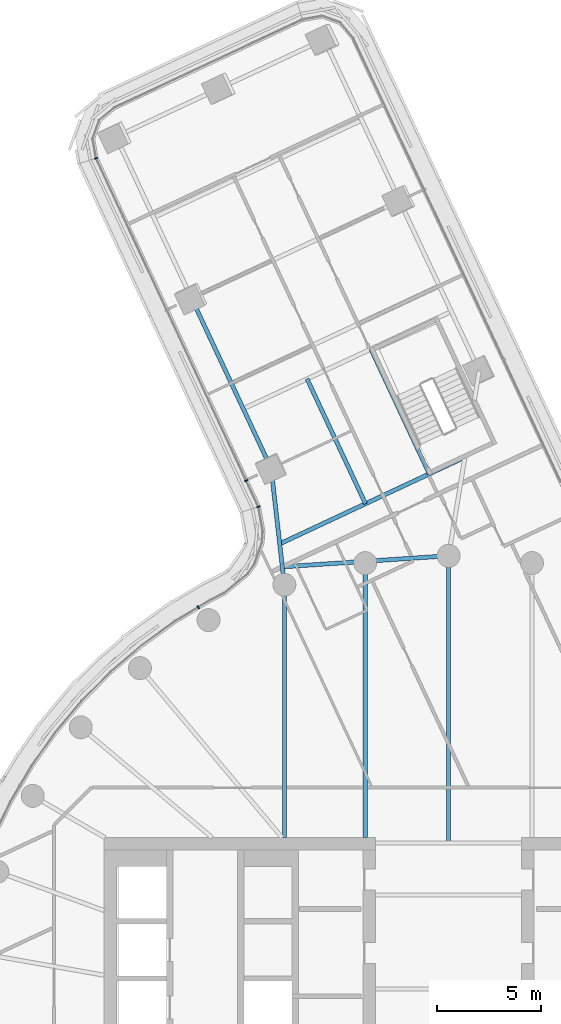
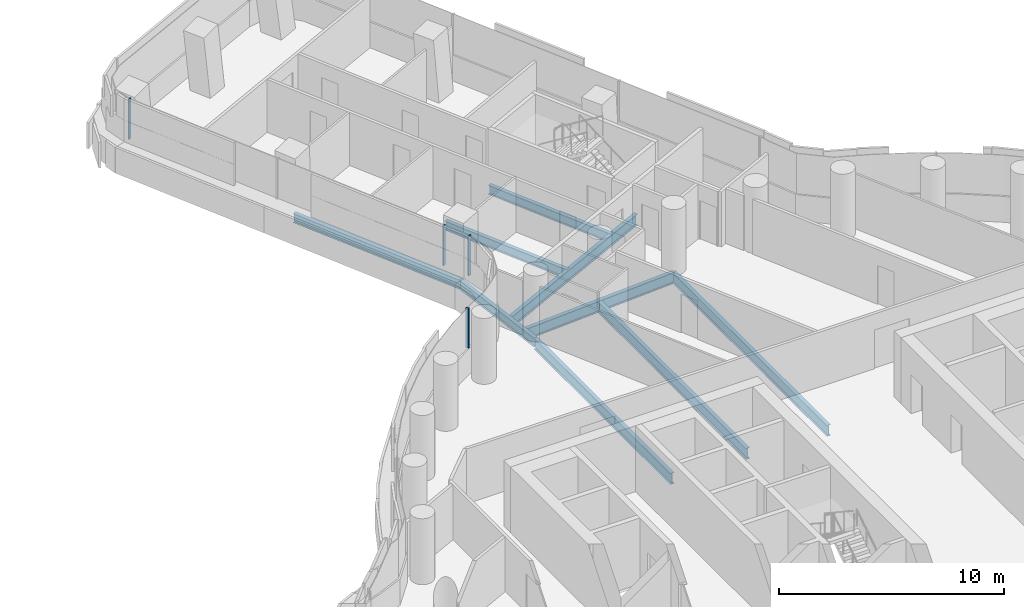
# One storey, part 15 of 36: 9 beams, 4 members, 2 elements without a shape of their own.
"""IFC4 building model written with IfcOpenShell, lengths in metres."""

import ifcopenshell
import ifcopenshell.guid

model = None  # the IFC model being written
_history = None  # IfcOwnerHistory: only IFC2X3 demands one
_inside = {}  # id of a spatial element -> (the spatial element, [elements in it])
_under = {}  # id of a project, library or spatial element -> (it, [spatial elements below it])
_declared = {}  # id of a project -> (the project, [libraries it declares])
_typed = {}  # id of a type object -> (the type object, [elements of that type])
_made_of = {}  # id of a material, layer set ... -> (it, [elements and type objects made of it])


def new_model(schema):
    """Start an empty IFC model of exactly this schema.

    Asked for "IFC4X3", IfcOpenShell would pick the latest addendum, in which some entities
    have other attributes; the version numbers below select the first issue.
    IFC2X3 requires an IfcOwnerHistory on every rooted entity: one is made here for all.
    """
    global model, _history
    if schema == "IFC4X3":
        model = ifcopenshell.file(schema_version=(4, 3, 0, 0))
    else:
        model = ifcopenshell.file(schema=schema)
    _inside.clear()
    _under.clear()
    _declared.clear()
    _typed.clear()
    _made_of.clear()
    _history = None
    if model.schema == "IFC2X3":
        org = make("IfcOrganization", Name="unknown")
        user = make(
            "IfcPersonAndOrganization",
            ThePerson=make("IfcPerson", FamilyName="unknown"),
            TheOrganization=org,
        )
        app = make(
            "IfcApplication",
            ApplicationDeveloper=org,
            Version="unknown",
            ApplicationFullName="unknown",
            ApplicationIdentifier="unknown",
        )
        _history = make(
            "IfcOwnerHistory",
            OwningUser=user,
            OwningApplication=app,
            ChangeAction="ADDED",
            CreationDate=0,
        )
    return model


def make(cls, **values):
    """One entity of the class cls with the attributes given. An attribute that is None is left unset."""
    return model.create_entity(
        cls, **{name: value for name, value in values.items() if value is not None}
    )


def rooted(cls, **values):
    """An entity with a GlobalId (a new one), such as an element, a storey or a relation."""
    return make(cls, GlobalId=ifcopenshell.guid.new(), OwnerHistory=_history, **values)


def si_unit(unit_type, name, prefix=None):
    """IfcSIUnit, for example si_unit("LENGTHUNIT", "METRE", prefix="MILLI")."""
    return make("IfcSIUnit", UnitType=unit_type, Prefix=prefix, Name=name)


def assignment(units):
    """IfcUnitAssignment: the units of a project."""
    return None if units is None else make("IfcUnitAssignment", Units=units)


def point(xyz):
    """IfcCartesianPoint."""
    return None if xyz is None else make("IfcCartesianPoint", Coordinates=xyz)


def direction(xyz):
    """IfcDirection."""
    return None if xyz is None else make("IfcDirection", DirectionRatios=xyz)


def frame(location, z_axis=None, x_axis=None):
    """IfcAxis2Placement3D, a coordinate frame: its origin and axes. An axis left out is left unset."""
    return make(
        "IfcAxis2Placement3D",
        Location=point(location),
        Axis=direction(z_axis),
        RefDirection=direction(x_axis),
    )


def frame_2d(location, x_axis=None):
    """IfcAxis2Placement2D, a coordinate frame in the plane: its origin and x axis."""
    return make(
        "IfcAxis2Placement2D", Location=point(location), RefDirection=direction(x_axis)
    )


def origin():
    """The frame at (0, 0, 0) with its axes left unset."""
    return frame((0.0, 0.0, 0.0))


def origin_2d():
    """The frame at (0, 0) in the plane with its x axis left unset."""
    return frame_2d((0.0, 0.0))


def place(relative_to, where):
    """IfcLocalPlacement: puts the frame where relative to a parent placement (None: the world)."""
    return make(
        "IfcLocalPlacement", PlacementRelTo=relative_to, RelativePlacement=where
    )


def context(
    kind, dimensions, precision=None, world=None, true_north=None, identifier=None
):
    """IfcGeometricRepresentationContext, for example the 3D "Model" context."""
    return make(
        "IfcGeometricRepresentationContext",
        ContextIdentifier=identifier,
        ContextType=kind,
        CoordinateSpaceDimension=dimensions,
        Precision=precision,
        WorldCoordinateSystem=world,
        TrueNorth=true_north,
    )


def subcontext(parent, identifier, kind, view, scale=None):
    """IfcGeometricRepresentationSubContext, for example "Body" below "Model"."""
    return make(
        "IfcGeometricRepresentationSubContext",
        ContextIdentifier=identifier,
        ContextType=kind,
        ParentContext=parent,
        TargetScale=scale,
        TargetView=view,
    )


def project(units=None, contexts=None):
    """IfcProject with its units and contexts."""
    return rooted(
        "IfcProject",
        Name="project",
        RepresentationContexts=contexts,
        UnitsInContext=assignment(units),
    )


def spatial(cls, under=None, at=None, **own):
    """A site, building, storey or space (cls), placed at a placement, below another one or the project."""
    s = rooted(cls, ObjectPlacement=at, **own)
    if under is not None:
        _under.setdefault(under.id(), (under, []))[1].append(s)
    return s


def profile(cls, at=None, kind="AREA", **sizes):
    """A parametric profile (cls). Its sizes go by their IFC names, for example OverallWidth=200.0."""
    return make(cls, ProfileType=kind, Position=at, **sizes)


def rectangle(**sizes):
    """IfcRectangleProfileDef."""
    return profile("IfcRectangleProfileDef", **sizes)


def i_section(**sizes):
    """IfcIShapeProfileDef."""
    return profile("IfcIShapeProfileDef", **sizes)


def extrude(swept, where, along, depth):
    """IfcExtrudedAreaSolid: the profile swept, set in the frame where, extruded along a direction by depth."""
    return make(
        "IfcExtrudedAreaSolid",
        SweptArea=swept,
        Position=where,
        ExtrudedDirection=direction(along),
        Depth=depth,
    )


def shape(context_of_items, identifier, shape_type, items):
    """IfcShapeRepresentation: the items that make up one representation, for example the "Body"."""
    return make(
        "IfcShapeRepresentation",
        ContextOfItems=context_of_items,
        RepresentationIdentifier=identifier,
        RepresentationType=shape_type,
        Items=items,
    )


def material(Name=None, Category=None):
    """IfcMaterial."""
    return make("IfcMaterial", Name=Name, Category=Category)


def layer(
    of_material, thickness, ventilated=None, Name=None, Category=None, Priority=None
):
    """IfcMaterialLayer: one layer of a wall or slab, of a material (None: an air gap)."""
    return make(
        "IfcMaterialLayer",
        Material=of_material,
        LayerThickness=thickness,
        IsVentilated=ventilated,
        Name=Name,
        Category=Category,
        Priority=Priority,
    )


def layer_set(layers, Name=None):
    """IfcMaterialLayerSet."""
    return make("IfcMaterialLayerSet", MaterialLayers=layers, LayerSetName=Name)


def material_profile(
    of_material, cross_section, Name=None, Category=None, Priority=None
):
    """IfcMaterialProfile: a cross section and its material."""
    return make(
        "IfcMaterialProfile",
        Name=Name,
        Material=of_material,
        Profile=cross_section,
        Priority=Priority,
        Category=Category,
    )


def profile_set(profiles, Name=None, composite=None):
    """IfcMaterialProfileSet."""
    return make(
        "IfcMaterialProfileSet",
        Name=Name,
        MaterialProfiles=profiles,
        CompositeProfile=composite,
    )


def made_of(thing, what):
    """Note that an element or type object is made of a material, layer set ...; save() writes the relation."""
    if what is not None:
        _made_of.setdefault(what.id(), (what, []))[1].append(thing)
    return thing


def type_object(cls, material=None, **own):
    """A type object (cls), such as IfcWallType, which elements share."""
    return made_of(rooted(cls, **own), material)


def element(
    cls,
    number,
    at=None,
    inside=None,
    cuts=None,
    type_object=None,
    material=None,
    context=None,
    identifier="Body",
    shape_type=None,
    held_by="IfcProductDefinitionShape",
    body=None,
    shapes=None,
    **own,
):
    """One element of the class cls, such as IfcWall. Its Tag is "e" and its number.

    at: its placement. inside: the storey or other place that contains it. cuts: it is an
    opening in that element (IfcRelVoidsElement). A single representation is given by context,
    identifier, shape_type and body (its items); several are given by shapes. held_by: the class
    of the entity that holds the representations. save() writes the other relations.
    """
    e = rooted(cls, Tag="e%d" % number, ObjectPlacement=at, **own)
    if body is not None:
        shapes = [shape(context, identifier, shape_type, body)]
    if shapes is not None:
        e.Representation = make(held_by, Representations=shapes)
    if inside is not None:
        _inside.setdefault(inside.id(), (inside, []))[1].append(e)
    if cuts is not None:
        rooted(
            "IfcRelVoidsElement", RelatingBuildingElement=cuts, RelatedOpeningElement=e
        )
    if type_object is not None:
        _typed.setdefault(type_object.id(), (type_object, []))[1].append(e)
    return made_of(e, material)


def aggregate(whole, parts):
    """IfcRelAggregates: a whole, such as a stair, and the parts it consists of."""
    return rooted("IfcRelAggregates", RelatingObject=whole, RelatedObjects=parts)


def save(model, path):
    """Write the relations noted so far, then the file.

    IfcRelAggregates (storeys below a building ...), IfcRelContainedInSpatialStructure (elements
    in a storey), IfcRelDefinesByType, IfcRelAssociatesMaterial and IfcRelDeclares: one each for
    every whole, place, type object, material and project.
    """
    for whole, parts in _under.values():
        aggregate(whole, parts)
    for where, things in _inside.values():
        rooted(
            "IfcRelContainedInSpatialStructure",
            RelatedElements=things,
            RelatingStructure=where,
        )
    for kind, things in _typed.values():
        rooted("IfcRelDefinesByType", RelatedObjects=things, RelatingType=kind)
    for what, things in _made_of.values():
        rooted("IfcRelAssociatesMaterial", RelatedObjects=things, RelatingMaterial=what)
    for by, libraries in _declared.values():
        rooted("IfcRelDeclares", RelatingContext=by, RelatedDefinitions=libraries)
    model.write(path)


model = new_model("IFC4")

# Units and contexts
model_context = context("Model", 3, precision=1e-05, world=origin(), true_north=direction((0.0, 1.0)))
body_context = subcontext(model_context, "Body", "Model", "MODEL_VIEW")
ifc_project = project(units=[si_unit("LENGTHUNIT", "METRE"), si_unit("AREAUNIT", "SQUARE_METRE"), si_unit("VOLUMEUNIT", "CUBIC_METRE"), si_unit("PLANEANGLEUNIT", "RADIAN"), si_unit("MASSUNIT", "GRAM", prefix="KILO")], contexts=[model_context])

# Site, building, storey
site_placement = place(None, origin())
site = spatial("IfcSite", under=ifc_project, at=site_placement, CompositionType="ELEMENT")
building_placement = place(site_placement, origin())
building = spatial("IfcBuilding", under=site, at=building_placement, Name="Tamarind Cross Interchange Tower", CompositionType="ELEMENT")
storey_placement = place(building_placement, frame((0.0, 0.0, 124.75)))
storey = spatial("IfcBuildingStorey", under=building, at=storey_placement, Name="L30", CompositionType="ELEMENT", Elevation=124.75)

# Beams
ifc_material_1 = material(Name="Steel Q355B", Category="steel")
ifc_material_profile_1 = material_profile(ifc_material_1, i_section(OverallWidth=0.198974609375, OverallDepth=0.49609375, WebThickness=0.009033203125, FlangeThickness=0.013916015625, FilletRadius=0.012939453125, at=origin_2d()), Name="HN 496x199x9x14")
ifc_profile_set_1 = profile_set([ifc_material_profile_1], Name="Steel Q355B")
beam_type_1 = type_object("IfcBeamType", Name="Composite beam HN 496x199x9x14 Q355B", PredefinedType="BEAM", material=ifc_profile_set_1)
beam_1_placement = place(storey_placement, frame((-12.3134765625, 35.338623046875, -0.387939453125), z_axis=(0.423798545053, -0.905756475666, 0.0), x_axis=(0.905756475666, 0.423798545053, 0.0)))
element("IfcBeam", 1, at=beam_1_placement, inside=storey, type_object=beam_type_1, Name="Beam N-edgeep3", PredefinedType="BEAM", context=body_context, shape_type="SweptSolid", body=[
    extrude(i_section(OverallWidth=0.198974609375, OverallDepth=0.49609375, WebThickness=0.009033203125, FlangeThickness=0.013916015625, FilletRadius=0.012939453125, at=origin_2d()), origin(), (0.0, 0.0, 1.0), 9.0),
])
beam_2_placement = place(storey_placement, frame((-8.499267578125, 27.186767578125, -0.387939453125), z_axis=(0.112810080865, -0.99361656873, 0.0), x_axis=(0.99361656873, 0.112810080865, 0.0)))
element("IfcBeam", 2, at=beam_2_placement, inside=storey, type_object=beam_type_1, Name="Beam N-linkep", PredefinedType="BEAM", context=body_context, shape_type="SweptSolid", body=[
    extrude(i_section(OverallWidth=0.198974609375, OverallDepth=0.49609375, WebThickness=0.009033203125, FlangeThickness=0.013916015625, FilletRadius=0.012939453125, at=origin_2d()), origin(), (0.0, 0.0, 1.0), 5.609619140625),
])
for number, where, z_axis, x_axis, name in (
    (3, (-0.92333984375, 26.922607421875, -0.387939453125), (-0.423802591314, 0.905754582431, 0.0), (-0.905754582431, -0.423802591314, 0.0), "Beam N-tr1"),
    (4, (-3.980224609375, 25.4921875, -0.387939453125), (-0.423802591314, 0.905754582431, 0.0), (-0.905754582431, -0.423802591314, 0.0), "Beam N-stripp"),
):
    element("IfcBeam", number, at=place(storey_placement, frame(where, z_axis=z_axis, x_axis=x_axis)), inside=storey, type_object=beam_type_1, Name=name, PredefinedType="BEAM", context=body_context, shape_type="SweptSolid", body=[
        extrude(i_section(OverallWidth=0.198974609375, OverallDepth=0.49609375, WebThickness=0.009033203125, FlangeThickness=0.013916015625, FilletRadius=0.012939453125, at=origin_2d()), origin(), (0.0, 0.0, 1.0), 6.60009765625),
    ])
ifc_material_profile_2 = material_profile(ifc_material_1, i_section(OverallWidth=0.198974609375, OverallDepth=0.595947265625, WebThickness=0.010009765625, FlangeThickness=0.014892578125, FilletRadius=0.012939453125, at=origin_2d()), Name="HN 596x199x10x15")
ifc_profile_set_2 = profile_set([ifc_material_profile_2], Name="Steel Q355B")
beam_type_2 = type_object("IfcBeamType", Name="Composite beam HN 596x199x10x15 Q355B", PredefinedType="BEAM", material=ifc_profile_set_2)
beam_3_placement = place(storey_placement, frame((0.0, 23.0, -0.43798828125), z_axis=(0.0, -1.0, 0.0), x_axis=(1.0, 0.0, 0.0)))
element("IfcBeam", 5, at=beam_3_placement, inside=storey, type_object=beam_type_2, Name="Beam HH09", PredefinedType="BEAM", context=body_context, shape_type="SweptSolid", body=[
    extrude(i_section(OverallWidth=0.198974609375, OverallDepth=0.595947265625, WebThickness=0.010009765625, FlangeThickness=0.014892578125, FilletRadius=0.012939453125, at=origin_2d()), origin(), (0.0, 0.0, 1.0), 13.75),
])
beam_4_placement = place(storey_placement, frame((-3.993896484375, 22.650634765625, -0.43798828125), z_axis=(0.0, -1.0, 0.0), x_axis=(1.0, 0.0, 0.0)))
element("IfcBeam", 6, at=beam_4_placement, inside=storey, type_object=beam_type_2, Name="Beam HH10", PredefinedType="BEAM", context=body_context, shape_type="SweptSolid", body=[
    extrude(i_section(OverallWidth=0.198974609375, OverallDepth=0.595947265625, WebThickness=0.010009765625, FlangeThickness=0.014892578125, FilletRadius=0.012939453125, at=origin_2d()), origin(), (0.0, 0.0, 1.0), 13.150634765625),
])
beam_5_placement = place(storey_placement, frame((-7.866455078125, 21.613037109375, -0.43798828125), z_axis=(0.0, -1.0, 0.0), x_axis=(1.0, 0.0, 0.0)))
element("IfcBeam", 7, at=beam_5_placement, inside=storey, type_object=beam_type_2, Name="Beam HH11", PredefinedType="BEAM", context=body_context, shape_type="SweptSolid", body=[
    extrude(i_section(OverallWidth=0.198974609375, OverallDepth=0.595947265625, WebThickness=0.010009765625, FlangeThickness=0.014892578125, FilletRadius=0.012939453125, at=origin_2d()), origin(), (0.0, 0.0, 1.0), 12.113037109375),
])
ifc_material_profile_3 = material_profile(ifc_material_1, i_section(OverallWidth=0.199951171875, OverallDepth=0.60009765625, WebThickness=0.010986328125, FlangeThickness=0.01708984375, FilletRadius=0.012939453125, at=origin_2d()), Name="HN 600x200x11x17")
ifc_profile_set_3 = profile_set([ifc_material_profile_3], Name="Steel Q355B")
beam_type_3 = type_object("IfcBeamType", Name="Composite beam HN 600x200x11x17 Q355B", PredefinedType="BEAM", material=ifc_profile_set_3)
beam_6_placement = place(storey_placement, frame((0.781005859375, 27.719970703125, -0.43994140625), z_axis=(-0.905752743905, -0.423806520607, 0.0), x_axis=(0.423806520607, -0.905752743905, 0.0)))
element("IfcBeam", 8, at=beam_6_placement, inside=storey, type_object=beam_type_3, Name="Beam N-x268", PredefinedType="BEAM", context=body_context, shape_type="SweptSolid", body=[
    extrude(i_section(OverallWidth=0.199951171875, OverallDepth=0.60009765625, WebThickness=0.010986328125, FlangeThickness=0.01708984375, FilletRadius=0.012939453125, at=origin_2d()), origin(), (0.0, 0.0, 1.0), 9.79248046875),
])
beam_7_placement = place(storey_placement, frame((0.0, 23.0, -0.43994140625), z_axis=(-0.99778637584, -0.066500738253, 0.0), x_axis=(0.066500738253, -0.99778637584, 0.0)))
element("IfcBeam", 9, at=beam_7_placement, inside=storey, type_object=beam_type_3, Name="Beam N-x258", PredefinedType="BEAM", context=body_context, shape_type="SweptSolid", body=[
    extrude(i_section(OverallWidth=0.199951171875, OverallDepth=0.60009765625, WebThickness=0.010986328125, FlangeThickness=0.01708984375, FilletRadius=0.012939453125, at=origin_2d()), origin(), (0.0, 0.0, 1.0), 7.981201171875),
])

# Curtain wall, members
ifc_material_2 = material(Name="Aluminium 6063-T6", Category="aluminium")
ifc_layer = layer(ifc_material_2, 0.159912109375)
ifc_layer_set = layer_set([ifc_layer], Name="Aluminium 6063-T6")
curtain_wall_type = type_object("IfcCurtainWallType", Name="Office curtain wall, 9.0 m bays", PredefinedType="NOTDEFINED", material=ifc_layer_set)
curtain_wall_1_placement = place(storey_placement, origin())
curtain_wall_1 = element("IfcCurtainWall", 10, at=curtain_wall_1_placement, inside=storey, type_object=curtain_wall_type, Name="CWS-L30-13", PredefinedType="NOTDEFINED")
ifc_material_profile_4 = material_profile(ifc_material_2, rectangle(XDim=0.06005859375, YDim=0.159912109375, at=origin_2d()), Name="Mullion CW1")
ifc_profile_set_4 = profile_set([ifc_material_profile_4], Name="Aluminium 6063-T6")
member_type = type_object("IfcMemberType", Name="Mullion CW1", PredefinedType="MULLION", material=ifc_profile_set_4)
member_1_placement = place(storey_placement, frame((-16.884521484375, 42.040283203125, 1.39990234375), z_axis=(0.0, 0.0, 1.0), x_axis=(0.301097686581, -0.953593300698, 0.0)))
member_1 = element("IfcMember", 11, at=member_1_placement, type_object=member_type, Name="CWM-L30-13-00", PredefinedType="MULLION", context=body_context, shape_type="SweptSolid", body=[
    extrude(rectangle(XDim=0.06005859375, YDim=0.159912109375, at=origin_2d()), origin(), (0.0, 0.0, 1.0), 2.170166015625),
])
member_2_placement = place(storey_placement, frame((-9.693603515625, 26.59912109375, 1.39990234375), z_axis=(0.0, 0.0, 1.0), x_axis=(0.422173554282, -0.906515024732, 0.0)))
member_2 = element("IfcMember", 12, at=member_2_placement, type_object=member_type, Name="CWM-L30-13-02", PredefinedType="MULLION", context=body_context, shape_type="SweptSolid", body=[
    extrude(rectangle(XDim=0.06005859375, YDim=0.159912109375, at=origin_2d()), origin(), (0.0, 0.0, 1.0), 2.170166015625),
])
aggregate(curtain_wall_1, [member_1, member_2])

curtain_wall_2_placement = place(storey_placement, origin())
curtain_wall_2 = element("IfcCurtainWall", 13, at=curtain_wall_2_placement, inside=storey, type_object=curtain_wall_type, Name="CWS-L30-14", PredefinedType="NOTDEFINED")
member_3_placement = place(storey_placement, frame((-9.11083984375, 25.34814453125, 1.39990234375), z_axis=(0.0, 0.0, 1.0), x_axis=(0.302453025944, -0.953164291766, 0.0)))
member_3 = element("IfcMember", 14, at=member_3_placement, type_object=member_type, Name="CWM-L30-14-00", PredefinedType="MULLION", context=body_context, shape_type="SweptSolid", body=[
    extrude(rectangle(XDim=0.06005859375, YDim=0.159912109375, at=origin_2d()), origin(), (0.0, 0.0, 1.0), 2.170166015625),
])
member_4_placement = place(storey_placement, frame((-11.98779296875, 20.534423828125, 1.39990234375), z_axis=(0.0, 0.0, 1.0), x_axis=(-0.856843065292, -0.515577308909, 0.0)))
member_4 = element("IfcMember", 15, at=member_4_placement, type_object=member_type, Name="CWM-L30-14-01", PredefinedType="MULLION", context=body_context, shape_type="SweptSolid", body=[
    extrude(rectangle(XDim=0.06005859375, YDim=0.159912109375, at=origin_2d()), origin(), (0.0, 0.0, 1.0), 2.170166015625),
])
aggregate(curtain_wall_2, [member_3, member_4])

save(model, "model.ifc")
